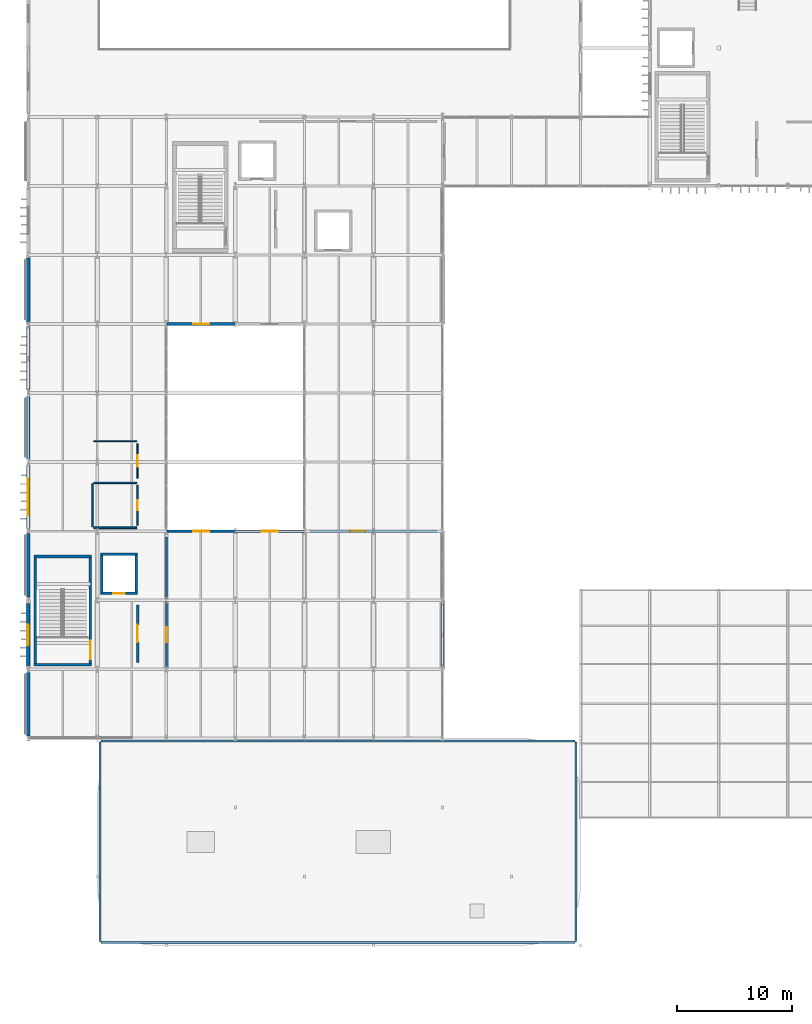
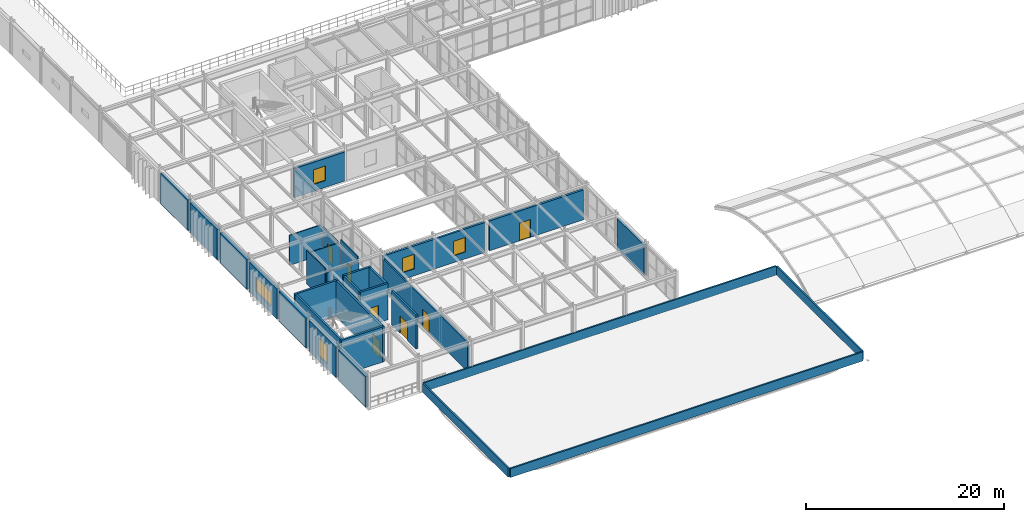
# One storey, part 55 of 84: 32 walls, 7 doors, 5 windows, 12 openings.
"""IFC4 building model written with IfcOpenShell, lengths in metres."""

from ifc_helpers import new_model, si_unit, direction, frame, frame_2d, origin, place, context, subcontext, project, spatial, rectangle, extrude, material, layer, layer_set, type_object, element, fill, save


model = new_model("IFC4")

# Units and contexts
model_context = context("Model", 3, precision=1e-05, world=origin(), true_north=direction((0.0, 1.0)))
body_context = subcontext(model_context, "Body", "Model", "MODEL_VIEW")
ifc_project = project(units=[si_unit("LENGTHUNIT", "METRE"), si_unit("AREAUNIT", "SQUARE_METRE"), si_unit("VOLUMEUNIT", "CUBIC_METRE"), si_unit("PLANEANGLEUNIT", "RADIAN"), si_unit("MASSUNIT", "GRAM", prefix="KILO")], contexts=[model_context])

# Site, building, storey
site_placement = place(None, origin())
site = spatial("IfcSite", under=ifc_project, at=site_placement, CompositionType="ELEMENT")
building_placement = place(site_placement, origin())
building = spatial("IfcBuilding", under=site, at=building_placement, Name="Varnakota Square Police Headquarters", CompositionType="ELEMENT")
storey_placement = place(building_placement, frame((0.0, 0.0, 13.5)))
storey = spatial("IfcBuildingStorey", under=building, at=storey_placement, Name="L03", CompositionType="ELEMENT", Elevation=13.5)

# Wall
ifc_material_1 = material(Name="Concrete M40", Category="concrete")
ifc_layer_1 = layer(ifc_material_1, 0.22998046875, Name="Concrete M40")
ifc_layer_set_1 = layer_set([ifc_layer_1], Name="Concrete M40")
wall_type_1 = type_object("IfcWallType", Name="WL-CORE-230", PredefinedType="SHEAR", material=ifc_layer_set_1)
wall_1_placement = place(storey_placement, frame((6.485107421875, 27.39990234375, 0.0), z_axis=(0.0, 0.0, 1.0), x_axis=(1.0, 0.0, 0.0)))
element("IfcWall", 1, at=wall_1_placement, inside=storey, type_object=wall_type_1, Name="Core C4 shear wall L03 S", PredefinedType="SHEAR", context=body_context, shape_type="SweptSolid", body=[
    extrude(rectangle(XDim=5.02978515625, YDim=0.22998046875, at=frame_2d((2.514892578125, 0.0))), origin(), (0.0, 0.0, 1.0), 4.360107421875),
])

# Wall, opening, door
wall_2_placement = place(storey_placement, frame((11.39990234375, 27.284912109375, 0.0), z_axis=(0.0, 0.0, 1.0), x_axis=(0.0, 1.0, 0.0)))
wall_2 = element("IfcWall", 2, at=wall_2_placement, inside=storey, type_object=wall_type_1, Name="Core C4 shear wall L03 E", PredefinedType="SHEAR", context=body_context, shape_type="SweptSolid", body=[
    extrude(rectangle(XDim=9.630126953125, YDim=0.22998046875, at=frame_2d((4.81494140625, 0.0))), origin(), (0.0, 0.0, 1.0), 4.360107421875),
])
opening_1_placement = place(wall_2_placement, frame((0.594970703125, 0.0, 0.0)))
opening_1 = element("IfcOpeningElement", 3, at=opening_1_placement, cuts=wall_2, Name="Opening SD068", PredefinedType="OPENING", context=body_context, shape_type="SweptSolid", body=[
    extrude(rectangle(XDim=1.60009765625, YDim=2.199951171875, at=frame_2d((0.800048828125, 1.10009765625))), frame((0.0, 0.125, 0.0), z_axis=(0.0, -1.0, 0.0), x_axis=(1.0, 0.0, 0.0)), (0.0, 0.0, 1.0), 0.25),
])
ifc_material_2 = material(Name="Powder-Coated Galvanised Steel", Category="steel")
door_type_1 = type_object("IfcDoorType", Name="DR-ST-160", OperationType="NOTDEFINED", PredefinedType="DOOR", material=ifc_material_2)
door_1_placement = place(opening_1_placement, origin())
door_1 = element("IfcDoor", 4, at=door_1_placement, inside=storey, type_object=door_type_1, Name="Protected stair door SD068", OperationType="DOUBLE_DOOR_SINGLE_SWING", OverallHeight=2.199951171875, OverallWidth=1.60009765625, PredefinedType="DOOR", context=body_context, shape_type="SweptSolid", body=[
    extrude(rectangle(XDim=1.60009765625, YDim=2.199951171875, at=frame_2d((0.800048828125, 1.10009765625))), frame((0.0, 0.02490234375, 0.0), z_axis=(0.0, -1.0, 0.0), x_axis=(1.0, 0.0, 0.0)), (0.0, 0.0, 1.0), 0.050048828125),
])
fill(opening_1, door_1)

# Walls
wall_3_placement = place(storey_placement, frame((11.514892578125, 36.800048828125, 0.0), z_axis=(0.0, 0.0, 1.0), x_axis=(-1.0, 0.0, 0.0)))
element("IfcWall", 5, at=wall_3_placement, inside=storey, type_object=wall_type_1, Name="Core C4 shear wall L03 N", PredefinedType="SHEAR", context=body_context, shape_type="SweptSolid", body=[
    extrude(rectangle(XDim=5.02978515625, YDim=0.22998046875, at=frame_2d((2.514892578125, 0.0))), origin(), (0.0, 0.0, 1.0), 4.360107421875),
])
wall_4_placement = place(storey_placement, frame((6.60009765625, 36.9150390625, 0.0), z_axis=(0.0, 0.0, 1.0), x_axis=(0.0, -1.0, 0.0)))
element("IfcWall", 6, at=wall_4_placement, inside=storey, type_object=wall_type_1, Name="Core C4 shear wall L03 W", PredefinedType="SHEAR", context=body_context, shape_type="SweptSolid", body=[
    extrude(rectangle(XDim=9.630126953125, YDim=0.22998046875, at=frame_2d((4.81494140625, 0.0))), origin(), (0.0, 0.0, 1.0), 4.360107421875),
])

# Wall, opening, door
wall_5_placement = place(storey_placement, frame((12.284912109375, 33.60009765625, 0.0), z_axis=(0.0, 0.0, 1.0), x_axis=(1.0, 0.0, 0.0)))
wall_5 = element("IfcWall", 7, at=wall_5_placement, inside=storey, type_object=wall_type_1, Name="Lift shaft wall LF-P2 L03 S", PredefinedType="SHEAR", context=body_context, shape_type="SweptSolid", body=[
    extrude(rectangle(XDim=3.22998046875, YDim=0.22998046875, at=frame_2d((1.614990234375, 0.0))), origin(), (0.0, 0.0, 1.0), 4.5),
])
opening_2_placement = place(wall_5_placement, frame((1.114990234375, 0.0, 0.0)))
opening_2 = element("IfcOpeningElement", 8, at=opening_2_placement, cuts=wall_5, Name="Opening LD028", PredefinedType="OPENING", context=body_context, shape_type="SweptSolid", body=[
    extrude(rectangle(XDim=1.0, YDim=2.14990234375, at=frame_2d((0.5, 1.074951171875))), frame((0.0, 0.125, 0.0), z_axis=(0.0, -1.0, 0.0), x_axis=(1.0, 0.0, 0.0)), (0.0, 0.0, 1.0), 0.25),
])
ifc_material_3 = material(Name="Brushed Grade 316 Stainless Steel", Category="steel")
door_type_2 = type_object("IfcDoorType", Name="DR-LD-PAX", OperationType="NOTDEFINED", PredefinedType="DOOR", material=ifc_material_3)
door_2_placement = place(opening_2_placement, origin())
door_2 = element("IfcDoor", 9, at=door_2_placement, inside=storey, type_object=door_type_2, Name="Lift sliding landing door LD028", OperationType="SLIDING_TO_LEFT", OverallHeight=2.14990234375, OverallWidth=1.0, PredefinedType="DOOR", context=body_context, shape_type="SweptSolid", body=[
    extrude(rectangle(XDim=1.0, YDim=2.14990234375, at=frame_2d((0.5, 1.074951171875))), frame((0.0, 0.02490234375, 0.0), z_axis=(0.0, -1.0, 0.0), x_axis=(1.0, 0.0, 0.0)), (0.0, 0.0, 1.0), 0.050048828125),
])
fill(opening_2, door_2)

# Walls
wall_6_placement = place(storey_placement, frame((15.39990234375, 33.485107421875, 0.0), z_axis=(0.0, 0.0, 1.0), x_axis=(0.0, 1.0, 0.0)))
element("IfcWall", 10, at=wall_6_placement, inside=storey, type_object=wall_type_1, Name="Lift shaft wall LF-P2 L03 E", PredefinedType="SHEAR", context=body_context, shape_type="SweptSolid", body=[
    extrude(rectangle(XDim=3.6298828125, YDim=0.22998046875, at=frame_2d((1.81494140625, 0.0))), origin(), (0.0, 0.0, 1.0), 4.5),
])
wall_7_placement = place(storey_placement, frame((15.514892578125, 37.0, 0.0), z_axis=(0.0, 0.0, 1.0), x_axis=(-1.0, 0.0, 0.0)))
element("IfcWall", 11, at=wall_7_placement, inside=storey, type_object=wall_type_1, Name="Lift shaft wall LF-P2 L03 N", PredefinedType="SHEAR", context=body_context, shape_type="SweptSolid", body=[
    extrude(rectangle(XDim=3.22998046875, YDim=0.22998046875, at=frame_2d((1.614990234375, 0.0))), origin(), (0.0, 0.0, 1.0), 4.5),
])
wall_8_placement = place(storey_placement, frame((12.39990234375, 37.114990234375, 0.0), z_axis=(0.0, 0.0, 1.0), x_axis=(0.0, -1.0, 0.0)))
element("IfcWall", 12, at=wall_8_placement, inside=storey, type_object=wall_type_1, Name="Lift shaft wall LF-P2 L03 W", PredefinedType="SHEAR", context=body_context, shape_type="SweptSolid", body=[
    extrude(rectangle(XDim=3.6298828125, YDim=0.22998046875, at=frame_2d((1.81494140625, 0.0))), origin(), (0.0, 0.0, 1.0), 4.5),
])

# Wall, opening, window
ifc_layer_2 = layer(ifc_material_1, 0.239990234375, Name="Concrete M40")
ifc_layer_set_2 = layer_set([ifc_layer_2], Name="Concrete M40")
wall_type_2 = type_object("IfcWallType", Name="WL-EXT-240", PredefinedType="SOLIDWALL", material=ifc_layer_set_2)
wall_9_placement = place(storey_placement, frame((18.050048828125, 39.0, 0.0), z_axis=(0.0, 0.0, 1.0), x_axis=(1.0, 0.0, 0.0)))
wall_9 = element("IfcWall", 13, at=wall_9_placement, inside=storey, type_object=wall_type_2, Name="Court exterior wall EW-L03-0436", PredefinedType="SOLIDWALL", context=body_context, shape_type="SweptSolid", body=[
    extrude(rectangle(XDim=5.949951171875, YDim=0.239990234375, at=frame_2d((2.97509765625, 0.0))), origin(), (0.0, 0.0, 1.0), 3.68994140625),
])
opening_3_placement = place(wall_9_placement, frame((2.27490234375, 0.0, 0.85009765625)))
opening_3 = element("IfcOpeningElement", 14, at=opening_3_placement, cuts=wall_9, Name="Opening W16", PredefinedType="OPENING", context=body_context, shape_type="SweptSolid", body=[
    extrude(rectangle(XDim=1.39990234375, YDim=1.800048828125, at=frame_2d((0.699951171875, 0.89990234375))), frame((0.0, 0.1298828125, 0.0), z_axis=(0.0, -1.0, 0.0), x_axis=(1.0, 0.0, 0.0)), (0.0, 0.0, 1.0), 0.260009765625),
])
ifc_material_4 = material(Name="Thermally Broken Aluminium Double-Glazed Window", Category="aluminium")
window_type_1 = type_object("IfcWindowType", Name="WIN-16", PartitioningType="SINGLE_PANEL", PredefinedType="WINDOW", material=ifc_material_4)
window_1_placement = place(opening_3_placement, origin())
window_1 = element("IfcWindow", 15, at=window_1_placement, inside=storey, type_object=window_type_1, Name="Window WN-L03-0092", OverallHeight=1.800048828125, OverallWidth=1.39990234375, PartitioningType="SINGLE_PANEL", PredefinedType="WINDOW", context=body_context, shape_type="SweptSolid", body=[
    extrude(rectangle(XDim=1.39990234375, YDim=1.800048828125, at=frame_2d((0.699951171875, 0.89990234375))), frame((0.0, 0.030029296875, 0.0), z_axis=(0.0, -1.0, 0.0), x_axis=(1.0, 0.0, 0.0)), (0.0, 0.0, 1.0), 0.06005859375),
])
fill(opening_3, window_1)

wall_10_placement = place(storey_placement, frame((18.050048828125, 57.0, 0.0), z_axis=(0.0, 0.0, 1.0), x_axis=(1.0, 0.0, 0.0)))
wall_10 = element("IfcWall", 16, at=wall_10_placement, inside=storey, type_object=wall_type_2, Name="Court exterior wall EW-L03-0437", PredefinedType="SOLIDWALL", context=body_context, shape_type="SweptSolid", body=[
    extrude(rectangle(XDim=5.949951171875, YDim=0.239990234375, at=frame_2d((2.97509765625, 0.0))), origin(), (0.0, 0.0, 1.0), 3.590087890625),
])
opening_4_placement = place(wall_10_placement, frame((2.27490234375, 0.0, 0.85009765625)))
opening_4 = element("IfcOpeningElement", 17, at=opening_4_placement, cuts=wall_10, Name="Opening W16", PredefinedType="OPENING", context=body_context, shape_type="SweptSolid", body=[
    extrude(rectangle(XDim=1.39990234375, YDim=1.800048828125, at=frame_2d((0.699951171875, 0.89990234375))), frame((0.0, 0.1298828125, 0.0), z_axis=(0.0, -1.0, 0.0), x_axis=(1.0, 0.0, 0.0)), (0.0, 0.0, 1.0), 0.260009765625),
])
window_2_placement = place(opening_4_placement, origin())
window_2 = element("IfcWindow", 18, at=window_2_placement, inside=storey, type_object=window_type_1, Name="Window WN-L03-0093", OverallHeight=1.800048828125, OverallWidth=1.39990234375, PartitioningType="SINGLE_PANEL", PredefinedType="WINDOW", context=body_context, shape_type="SweptSolid", body=[
    extrude(rectangle(XDim=1.39990234375, YDim=1.800048828125, at=frame_2d((0.699951171875, 0.89990234375))), frame((0.0, 0.030029296875, 0.0), z_axis=(0.0, -1.0, 0.0), x_axis=(1.0, 0.0, 0.0)), (0.0, 0.0, 1.0), 0.06005859375),
])
fill(opening_4, window_2)

wall_11_placement = place(storey_placement, frame((24.0, 39.0, 0.0), z_axis=(0.0, 0.0, 1.0), x_axis=(1.0, 0.0, 0.0)))
wall_11 = element("IfcWall", 19, at=wall_11_placement, inside=storey, type_object=wall_type_2, Name="Court exterior wall EW-L03-0438", PredefinedType="SOLIDWALL", context=body_context, shape_type="SweptSolid", body=[
    extrude(rectangle(XDim=5.949951171875, YDim=0.239990234375, at=frame_2d((2.97509765625, 0.0))), origin(), (0.0, 0.0, 1.0), 3.68994140625),
])
opening_5_placement = place(wall_11_placement, frame((2.27490234375, 0.0, 0.85009765625)))
opening_5 = element("IfcOpeningElement", 20, at=opening_5_placement, cuts=wall_11, Name="Opening W16", PredefinedType="OPENING", context=body_context, shape_type="SweptSolid", body=[
    extrude(rectangle(XDim=1.39990234375, YDim=1.800048828125, at=frame_2d((0.699951171875, 0.89990234375))), frame((0.0, 0.1298828125, 0.0), z_axis=(0.0, -1.0, 0.0), x_axis=(1.0, 0.0, 0.0)), (0.0, 0.0, 1.0), 0.260009765625),
])
window_3_placement = place(opening_5_placement, origin())
window_3 = element("IfcWindow", 21, at=window_3_placement, inside=storey, type_object=window_type_1, Name="Window WN-L03-0094", OverallHeight=1.800048828125, OverallWidth=1.39990234375, PartitioningType="SINGLE_PANEL", PredefinedType="WINDOW", context=body_context, shape_type="SweptSolid", body=[
    extrude(rectangle(XDim=1.39990234375, YDim=1.800048828125, at=frame_2d((0.699951171875, 0.89990234375))), frame((0.0, 0.030029296875, 0.0), z_axis=(0.0, -1.0, 0.0), x_axis=(1.0, 0.0, 0.0)), (0.0, 0.0, 1.0), 0.06005859375),
])
fill(opening_5, window_3)

# Walls
ifc_layer_3 = layer(ifc_material_1, 0.280029296875, Name="Concrete M40")
ifc_layer_set_3 = layer_set([ifc_layer_3], Name="Concrete M40")
wall_type_3 = type_object("IfcWallType", Name="WL-EXT-280", PredefinedType="SOLIDWALL", material=ifc_layer_set_3)
wall_12_placement = place(storey_placement, frame((42.0, 27.25390625, 0.0), z_axis=(0.0, 0.0, 1.0), x_axis=(0.0, 1.0, 0.0)))
element("IfcWall", 22, at=wall_12_placement, inside=storey, type_object=wall_type_3, Name="Exterior wall EW-L03-0428", PredefinedType="SOLIDWALL", context=body_context, shape_type="SweptSolid", body=[
    extrude(rectangle(XDim=5.467041015625, YDim=0.280029296875, at=frame_2d((2.7333984375, 0.0))), origin(), (0.0, 0.0, 1.0), 3.739990234375),
])
ifc_layer_4 = layer(ifc_material_1, 0.340087890625, Name="Concrete M40")
ifc_layer_set_4 = layer_set([ifc_layer_4], Name="Concrete M40")
wall_type_4 = type_object("IfcWallType", Name="WL-EXT-340", PredefinedType="SOLIDWALL", material=ifc_layer_set_4)
wall_13_placement = place(storey_placement, frame((6.0, 21.2041015625, 0.0), z_axis=(0.0, 0.0, 1.0), x_axis=(0.0, 1.0, 0.0)))
element("IfcWall", 23, at=wall_13_placement, inside=storey, type_object=wall_type_4, Name="Exterior wall EW-L03-0426", PredefinedType="SOLIDWALL", context=body_context, shape_type="SweptSolid", body=[
    extrude(rectangle(XDim=5.5419921875, YDim=0.340087890625, at=frame_2d((2.77099609375, 0.0))), origin(), (0.0, 0.0, 1.0), 3.78369140625),
])

# Wall, opening, window
wall_14_placement = place(storey_placement, frame((6.0, 27.25390625, 0.0), z_axis=(0.0, 0.0, 1.0), x_axis=(0.0, 1.0, 0.0)))
wall_14 = element("IfcWall", 24, at=wall_14_placement, inside=storey, type_object=wall_type_4, Name="Exterior wall EW-L03-0427", PredefinedType="SOLIDWALL", context=body_context, shape_type="SweptSolid", body=[
    extrude(rectangle(XDim=5.467041015625, YDim=0.340087890625, at=frame_2d((2.7333984375, 0.0))), origin(), (0.0, 0.0, 1.0), 3.78369140625),
])
opening_6_placement = place(wall_14_placement, frame((1.83349609375, 0.0, 0.60009765625)))
opening_6 = element("IfcOpeningElement", 25, at=opening_6_placement, cuts=wall_14, Name="Opening W11", PredefinedType="OPENING", context=body_context, shape_type="SweptSolid", body=[
    extrude(rectangle(XDim=1.800048828125, YDim=2.199951171875, at=frame_2d((0.89990234375, 1.10009765625))), frame((0.0, 0.179931640625, 0.0), z_axis=(0.0, -1.0, 0.0), x_axis=(1.0, 0.0, 0.0)), (0.0, 0.0, 1.0), 0.360107421875),
])
window_type_2 = type_object("IfcWindowType", Name="WIN-11", PartitioningType="SINGLE_PANEL", PredefinedType="WINDOW", material=ifc_material_4)
window_4_placement = place(opening_6_placement, origin())
window_4 = element("IfcWindow", 26, at=window_4_placement, inside=storey, type_object=window_type_2, Name="Window WN-L03-0089", OverallHeight=2.199951171875, OverallWidth=1.800048828125, PartitioningType="SINGLE_PANEL", PredefinedType="WINDOW", context=body_context, shape_type="SweptSolid", body=[
    extrude(rectangle(XDim=1.800048828125, YDim=2.199951171875, at=frame_2d((0.89990234375, 1.10009765625))), frame((0.0, 0.030029296875, 0.0), z_axis=(0.0, -1.0, 0.0), x_axis=(1.0, 0.0, 0.0)), (0.0, 0.0, 1.0), 0.06005859375),
])
fill(opening_6, window_4)

# Wall
wall_15_placement = place(storey_placement, frame((6.0, 33.279052734375, 0.0), z_axis=(0.0, 0.0, 1.0), x_axis=(0.0, 1.0, 0.0)))
element("IfcWall", 27, at=wall_15_placement, inside=storey, type_object=wall_type_4, Name="Exterior wall EW-L03-0429", PredefinedType="SOLIDWALL", context=body_context, shape_type="SweptSolid", body=[
    extrude(rectangle(XDim=5.516845703125, YDim=0.340087890625, at=frame_2d((2.75830078125, 0.0))), origin(), (0.0, 0.0, 1.0), 3.68994140625),
])

# Wall, opening, window
wall_16_placement = place(storey_placement, frame((6.0, 39.2041015625, 0.0), z_axis=(0.0, 0.0, 1.0), x_axis=(0.0, 1.0, 0.0)))
wall_16 = element("IfcWall", 28, at=wall_16_placement, inside=storey, type_object=wall_type_4, Name="Exterior wall EW-L03-0430", PredefinedType="SOLIDWALL", context=body_context, shape_type="SweptSolid", body=[
    extrude(rectangle(XDim=5.5419921875, YDim=0.340087890625, at=frame_2d((2.77099609375, 0.0))), origin(), (0.0, 0.0, 1.0), 3.68994140625),
])
opening_7_placement = place(wall_16_placement, frame((1.1708984375, 0.0, 0.800048828125)))
opening_7 = element("IfcOpeningElement", 29, at=opening_7_placement, cuts=wall_16, Name="Opening W15", PredefinedType="OPENING", context=body_context, shape_type="SweptSolid", body=[
    extrude(rectangle(XDim=3.199951171875, YDim=1.800048828125, at=frame_2d((1.60009765625, 0.89990234375))), frame((0.0, 0.179931640625, 0.0), z_axis=(0.0, -1.0, 0.0), x_axis=(1.0, 0.0, 0.0)), (0.0, 0.0, 1.0), 0.360107421875),
])
window_type_3 = type_object("IfcWindowType", Name="WIN-15", PartitioningType="SINGLE_PANEL", PredefinedType="WINDOW", material=ifc_material_4)
window_5_placement = place(opening_7_placement, origin())
window_5 = element("IfcWindow", 30, at=window_5_placement, inside=storey, type_object=window_type_3, Name="Window WN-L03-0090", OverallHeight=1.800048828125, OverallWidth=3.199951171875, PartitioningType="SINGLE_PANEL", PredefinedType="WINDOW", context=body_context, shape_type="SweptSolid", body=[
    extrude(rectangle(XDim=3.199951171875, YDim=1.800048828125, at=frame_2d((1.60009765625, 0.89990234375))), frame((0.0, 0.030029296875, 0.0), z_axis=(0.0, -1.0, 0.0), x_axis=(1.0, 0.0, 0.0)), (0.0, 0.0, 1.0), 0.06005859375),
])
fill(opening_7, window_5)

# Walls
wall_17_placement = place(storey_placement, frame((6.0, 45.25390625, 0.0), z_axis=(0.0, 0.0, 1.0), x_axis=(0.0, 1.0, 0.0)))
element("IfcWall", 31, at=wall_17_placement, inside=storey, type_object=wall_type_4, Name="Exterior wall EW-L03-0431", PredefinedType="SOLIDWALL", context=body_context, shape_type="SweptSolid", body=[
    extrude(rectangle(XDim=5.467041015625, YDim=0.340087890625, at=frame_2d((2.7333984375, 0.0))), origin(), (0.0, 0.0, 1.0), 3.68994140625),
])
wall_18_placement = place(storey_placement, frame((6.0, 51.279052734375, 0.0), z_axis=(0.0, 0.0, 1.0), x_axis=(0.0, 1.0, 0.0)))
element("IfcWall", 32, at=wall_18_placement, inside=storey, type_object=wall_type_4, Name="Exterior wall EW-L03-0432", PredefinedType="SOLIDWALL", context=body_context, shape_type="SweptSolid", body=[
    extrude(rectangle(XDim=5.516845703125, YDim=0.340087890625, at=frame_2d((2.75830078125, 0.0))), origin(), (0.0, 0.0, 1.0), 3.739990234375),
])
wall_19_placement = place(storey_placement, frame((6.0, 57.2041015625, 0.0), z_axis=(0.0, 0.0, 1.0), x_axis=(0.0, 1.0, 0.0)))
element("IfcWall", 33, at=wall_19_placement, inside=storey, type_object=wall_type_4, Name="Exterior wall EW-L03-0433", PredefinedType="SOLIDWALL", context=body_context, shape_type="SweptSolid", body=[
    extrude(rectangle(XDim=5.5419921875, YDim=0.340087890625, at=frame_2d((2.77099609375, 0.0))), origin(), (0.0, 0.0, 1.0), 3.78369140625),
])
ifc_material_5 = material(Name="Precast concrete M40", Category="concrete")
ifc_layer_5 = layer(ifc_material_5, 0.179931640625, Name="Precast concrete M40")
ifc_layer_set_5 = layer_set([ifc_layer_5], Name="Precast concrete M40")
wall_type_5 = type_object("IfcWallType", Name="WL-PAR-180", PredefinedType="PARAPET", material=ifc_layer_set_5)
wall_20_placement = place(storey_placement, frame((12.340087890625, 3.25, 0.0), z_axis=(0.0, 0.0, 1.0), x_axis=(1.0, 0.0, 0.0)))
element("IfcWall", 34, at=wall_20_placement, inside=storey, type_object=wall_type_5, Name="Roof parapet wall PAR-L03-008", PredefinedType="PARAPET", context=body_context, shape_type="SweptSolid", body=[
    extrude(rectangle(XDim=41.169921875, YDim=0.179931640625, at=frame_2d((20.5849609375, 0.0))), origin(), (0.0, 0.0, 1.0), 1.10009765625),
])
wall_21_placement = place(storey_placement, frame((53.60009765625, 3.340087890625, 0.0), z_axis=(0.0, 0.0, 1.0), x_axis=(0.0, 1.0, 0.0)))
element("IfcWall", 35, at=wall_21_placement, inside=storey, type_object=wall_type_5, Name="Roof parapet wall PAR-L03-009", PredefinedType="PARAPET", context=body_context, shape_type="SweptSolid", body=[
    extrude(rectangle(XDim=17.31982421875, YDim=0.179931640625, at=frame_2d((8.659912109375, 0.0))), origin(), (0.0, 0.0, 1.0), 1.10009765625),
])
wall_22_placement = place(storey_placement, frame((53.510009765625, 20.75, 0.0), z_axis=(0.0, 0.0, 1.0), x_axis=(-1.0, 0.0, 0.0)))
element("IfcWall", 36, at=wall_22_placement, inside=storey, type_object=wall_type_5, Name="Roof parapet wall PAR-L03-010", PredefinedType="PARAPET", context=body_context, shape_type="SweptSolid", body=[
    extrude(rectangle(XDim=41.169921875, YDim=0.179931640625, at=frame_2d((20.5849609375, 0.0))), origin(), (0.0, 0.0, 1.0), 1.10009765625),
])
wall_23_placement = place(storey_placement, frame((12.25, 20.659912109375, 0.0), z_axis=(0.0, 0.0, 1.0), x_axis=(0.0, -1.0, 0.0)))
element("IfcWall", 37, at=wall_23_placement, inside=storey, type_object=wall_type_5, Name="Roof parapet wall PAR-L03-011", PredefinedType="PARAPET", context=body_context, shape_type="SweptSolid", body=[
    extrude(rectangle(XDim=17.31982421875, YDim=0.179931640625, at=frame_2d((8.659912109375, 0.0))), origin(), (0.0, 0.0, 1.0), 1.10009765625),
])
ifc_material_6 = material(Name="Lightweight Demountable Office Partition", Category="gypsum")
ifc_layer_6 = layer(ifc_material_6, 0.094970703125, Name="Lightweight Demountable Office Partition")
ifc_layer_set_6 = layer_set([ifc_layer_6], Name="Lightweight Demountable Office Partition")
wall_type_6 = type_object("IfcWallType", Name="WL-PRT-095", PredefinedType="PARTITIONING", material=ifc_layer_set_6)
wall_24_placement = place(storey_placement, frame((11.679931640625, 46.800048828125, 0.0), z_axis=(0.0, 0.0, 1.0), x_axis=(1.0, 0.0, 0.0)))
element("IfcWall", 38, at=wall_24_placement, inside=storey, type_object=wall_type_6, Name="Interior dividing partition PW-L03-0194 (L03 Accessible WC West)", PredefinedType="PARTITIONING", context=body_context, shape_type="SweptSolid", body=[
    extrude(rectangle(XDim=3.739990234375, YDim=0.094970703125, at=frame_2d((1.8701171875, 0.0))), origin(), (0.0, 0.0, 1.0), 3.739990234375),
])

# Wall, opening, door
ifc_material_7 = material(Name="Glazed Clean-Lab Modular Partition", Category="gypsum")
ifc_layer_7 = layer(ifc_material_7, 0.10498046875, Name="Glazed Clean-Lab Modular Partition")
ifc_layer_set_7 = layer_set([ifc_layer_7], Name="Glazed Clean-Lab Modular Partition")
wall_type_7 = type_object("IfcWallType", Name="WL-PRT-105", PredefinedType="PARTITIONING", material=ifc_layer_set_7)
wall_25_placement = place(storey_placement, frame((15.5, 46.60009765625, 0.0), z_axis=(0.0, 0.0, 1.0), x_axis=(0.0, -1.0, 0.0)))
wall_25 = element("IfcWall", 39, at=wall_25_placement, inside=storey, type_object=wall_type_7, Name="Interior partition PW-L03-0168 (L03 Accessible WC West)", PredefinedType="PARTITIONING", context=body_context, shape_type="SweptSolid", body=[
    extrude(rectangle(XDim=3.0, YDim=0.10498046875, at=frame_2d((1.5, 0.0))), origin(), (0.0, 0.0, 1.0), 3.590087890625),
])
opening_8_placement = place(wall_25_placement, frame((1.0, 0.0, 0.0)))
opening_8 = element("IfcOpeningElement", 40, at=opening_8_placement, cuts=wall_25, Name="Opening D244", PredefinedType="OPENING", context=body_context, shape_type="SweptSolid", body=[
    extrude(rectangle(XDim=1.0, YDim=2.10009765625, at=frame_2d((0.5, 1.050048828125))), frame((0.0, 0.0625, 0.0), z_axis=(0.0, -1.0, 0.0), x_axis=(1.0, 0.0, 0.0)), (0.0, 0.0, 1.0), 0.125),
])
ifc_material_8 = material(Name="Antimicrobial High-Pressure Compact Laminate")
door_type_3 = type_object("IfcDoorType", Name="DR-WCA-100", OperationType="NOTDEFINED", PredefinedType="DOOR", material=ifc_material_8)
door_3_placement = place(opening_8_placement, origin())
door_3 = element("IfcDoor", 41, at=door_3_placement, inside=storey, type_object=door_type_3, Name="Room door D244 (L03 Accessible WC West)", OperationType="SINGLE_SWING_RIGHT", OverallHeight=2.10009765625, OverallWidth=1.0, PredefinedType="DOOR", context=body_context, shape_type="SweptSolid", body=[
    extrude(rectangle(XDim=1.0, YDim=2.10009765625, at=frame_2d((0.5, 1.050048828125))), frame((0.0, 0.02490234375, 0.0), z_axis=(0.0, -1.0, 0.0), x_axis=(1.0, 0.0, 0.0)), (0.0, 0.0, 1.0), 0.050048828125),
])
fill(opening_8, door_3)

# Wall
ifc_material_9 = material(Name="Moisture-Resistant Tile-Backed Partition", Category="gypsum")
ifc_layer_8 = layer(ifc_material_9, 0.114990234375, Name="Moisture-Resistant Tile-Backed Partition")
ifc_layer_set_8 = layer_set([ifc_layer_8], Name="Moisture-Resistant Tile-Backed Partition")
wall_type_8 = type_object("IfcWallType", Name="WL-PRT-115", PredefinedType="PARTITIONING", material=ifc_layer_set_8)
wall_26_placement = place(storey_placement, frame((11.679931640625, 43.199951171875, 0.0), z_axis=(0.0, 0.0, 1.0), x_axis=(1.0, 0.0, 0.0)))
element("IfcWall", 42, at=wall_26_placement, inside=storey, type_object=wall_type_8, Name="Interior dividing partition PW-L03-0193 (L03 Forensic Staff Washroom WC)", PredefinedType="PARTITIONING", context=body_context, shape_type="SweptSolid", body=[
    extrude(rectangle(XDim=3.739990234375, YDim=0.114990234375, at=frame_2d((1.8701171875, 0.0))), origin(), (0.0, 0.0, 1.0), 3.68994140625),
])

# Wall, opening, door
ifc_material_10 = material(Name="Acoustic Insulated Metal-Stud Partition", Category="gypsum")
ifc_layer_9 = layer(ifc_material_10, 0.125, Name="Acoustic Insulated Metal-Stud Partition")
ifc_layer_set_9 = layer_set([ifc_layer_9], Name="Acoustic Insulated Metal-Stud Partition")
wall_type_9 = type_object("IfcWallType", Name="WL-PRT-125", PredefinedType="PARTITIONING", material=ifc_layer_set_9)
wall_27_placement = place(storey_placement, frame((15.5, 43.0, 0.0), z_axis=(0.0, 0.0, 1.0), x_axis=(0.0, -1.0, 0.0)))
wall_27 = element("IfcWall", 43, at=wall_27_placement, inside=storey, type_object=wall_type_9, Name="Interior partition PW-L03-0167 (L03 Forensic Staff Washroom WC)", PredefinedType="PARTITIONING", context=body_context, shape_type="SweptSolid", body=[
    extrude(rectangle(XDim=3.5, YDim=0.125, at=frame_2d((1.75, 0.0))), origin(), (0.0, 0.0, 1.0), 4.18994140625),
])
opening_9_placement = place(wall_27_placement, frame((1.300048828125, 0.0, 0.0)))
opening_9 = element("IfcOpeningElement", 44, at=opening_9_placement, cuts=wall_27, Name="Opening D243", PredefinedType="OPENING", context=body_context, shape_type="SweptSolid", body=[
    extrude(rectangle(XDim=0.89990234375, YDim=2.10009765625, at=frame_2d((0.449951171875, 1.050048828125))), frame((0.0, 0.072509765625, 0.0), z_axis=(0.0, -1.0, 0.0), x_axis=(1.0, 0.0, 0.0)), (0.0, 0.0, 1.0), 0.14501953125),
])
ifc_material_11 = material(Name="High-Pressure Moisture-Resistant Compact Laminate")
door_type_4 = type_object("IfcDoorType", Name="DR-WC-090", OperationType="NOTDEFINED", PredefinedType="DOOR", material=ifc_material_11)
door_4_placement = place(opening_9_placement, origin())
door_4 = element("IfcDoor", 45, at=door_4_placement, inside=storey, type_object=door_type_4, Name="Room door D243 (L03 Forensic Staff Washroom WC)", OperationType="SINGLE_SWING_LEFT", OverallHeight=2.10009765625, OverallWidth=0.89990234375, PredefinedType="DOOR", context=body_context, shape_type="SweptSolid", body=[
    extrude(rectangle(XDim=0.89990234375, YDim=2.10009765625, at=frame_2d((0.449951171875, 1.050048828125))), frame((0.0, 0.02490234375, 0.0), z_axis=(0.0, -1.0, 0.0), x_axis=(1.0, 0.0, 0.0)), (0.0, 0.0, 1.0), 0.050048828125),
])
fill(opening_9, door_4)

# Walls
wall_28_placement = place(storey_placement, frame((11.60009765625, 39.3798828125, 0.0), z_axis=(0.0, 0.0, 1.0), x_axis=(0.0, 1.0, 0.0)))
element("IfcWall", 46, at=wall_28_placement, inside=storey, type_object=wall_type_9, Name="Interior dividing partition PW-L03-0192 (L03 Forensic Staff Washroom WC)", PredefinedType="PARTITIONING", context=body_context, shape_type="SweptSolid", body=[
    extrude(rectangle(XDim=3.740234375, YDim=0.125, at=frame_2d((1.8701171875, 0.0))), origin(), (0.0, 0.0, 1.0), 4.18994140625),
])
ifc_layer_10 = layer(ifc_material_10, 0.139892578125, Name="Acoustic Insulated Metal-Stud Partition")
ifc_layer_set_10 = layer_set([ifc_layer_10], Name="Acoustic Insulated Metal-Stud Partition")
wall_type_10 = type_object("IfcWallType", Name="WL-PRT-140", PredefinedType="PARTITIONING", material=ifc_layer_set_10)
wall_29_placement = place(storey_placement, frame((15.419921875, 39.300048828125, 0.0), z_axis=(0.0, 0.0, 1.0), x_axis=(-1.0, 0.0, 0.0)))
element("IfcWall", 47, at=wall_29_placement, inside=storey, type_object=wall_type_10, Name="Interior dividing partition PW-L03-0191 (L03 Forensic Staff Washroom WC)", PredefinedType="PARTITIONING", context=body_context, shape_type="SweptSolid", body=[
    extrude(rectangle(XDim=3.739990234375, YDim=0.139892578125, at=frame_2d((1.8701171875, 0.0))), origin(), (0.0, 0.0, 1.0), 3.68994140625),
])

# Wall, opening, door
ifc_material_12 = material(Name="Autoclaved Aerated Concrete Blockwork", Category="masonry")
ifc_layer_11 = layer(ifc_material_12, 0.175048828125, Name="Autoclaved Aerated Concrete Blockwork")
ifc_layer_set_11 = layer_set([ifc_layer_11], Name="Autoclaved Aerated Concrete Blockwork")
wall_type_11 = type_object("IfcWallType", Name="WL-PRT-175F", PredefinedType="PARTITIONING", material=ifc_layer_set_11)
wall_30_placement = place(storey_placement, frame((18.0, 21.5, 0.0), z_axis=(0.0, 0.0, 1.0), x_axis=(0.0, 1.0, 0.0)))
wall_30 = element("IfcWall", 48, at=wall_30_placement, inside=storey, type_object=wall_type_11, Name="Interior partition PW-L03-0172 (Digital Forensics Laboratory)", PredefinedType="PARTITIONING", context=body_context, shape_type="SweptSolid", body=[
    extrude(rectangle(XDim=17.0, YDim=0.175048828125, at=frame_2d((8.5, 0.0))), origin(), (0.0, 0.0, 1.0), 3.590087890625),
])
opening_10_placement = place(wall_30_placement, frame((7.85009765625, 0.0, 0.0)))
opening_10 = element("IfcOpeningElement", 49, at=opening_10_placement, cuts=wall_30, Name="Opening D248", PredefinedType="OPENING", context=body_context, shape_type="SweptSolid", body=[
    extrude(rectangle(XDim=1.300048828125, YDim=2.199951171875, at=frame_2d((0.64990234375, 1.10009765625))), frame((0.0, 0.097412109375, 0.0), z_axis=(0.0, -1.0, 0.0), x_axis=(1.0, 0.0, 0.0)), (0.0, 0.0, 1.0), 0.195068359375),
])
ifc_material_13 = material(Name="Epoxy-Coated Hermetic Galvanised Steel", Category="steel")
door_type_5 = type_object("IfcDoorType", Name="DR-LAB-130", OperationType="NOTDEFINED", PredefinedType="DOOR", material=ifc_material_13)
door_5_placement = place(opening_10_placement, origin())
door_5 = element("IfcDoor", 50, at=door_5_placement, inside=storey, type_object=door_type_5, Name="Room door D248 (Digital Forensics Laboratory)", OperationType="SINGLE_SWING_RIGHT", OverallHeight=2.199951171875, OverallWidth=1.300048828125, PredefinedType="DOOR", context=body_context, shape_type="SweptSolid", body=[
    extrude(rectangle(XDim=1.300048828125, YDim=2.199951171875, at=frame_2d((0.64990234375, 1.10009765625))), frame((0.0, 0.02490234375, 0.0), z_axis=(0.0, -1.0, 0.0), x_axis=(1.0, 0.0, 0.0)), (0.0, 0.0, 1.0), 0.050048828125),
])
fill(opening_10, door_5)

ifc_layer_12 = layer(ifc_material_1, 0.215087890625, Name="Concrete M40")
ifc_layer_set_12 = layer_set([ifc_layer_12], Name="Concrete M40")
wall_type_12 = type_object("IfcWallType", Name="WL-PRT-215F", PredefinedType="PARTITIONING", material=ifc_layer_set_12)
wall_31_placement = place(storey_placement, frame((15.5, 27.60009765625, 0.0), z_axis=(0.0, 0.0, 1.0), x_axis=(0.0, 1.0, 0.0)))
wall_31 = element("IfcWall", 51, at=wall_31_placement, inside=storey, type_object=wall_type_12, Name="Core C4 lobby fire partition L03", PredefinedType="PARTITIONING", context=body_context, shape_type="SweptSolid", body=[
    extrude(rectangle(XDim=5.0, YDim=0.215087890625, at=frame_2d((2.5, 0.0))), origin(), (0.0, 0.0, 1.0), 4.18994140625),
])
opening_11_placement = place(wall_31_placement, frame((1.75, 0.0, 0.0)))
opening_11 = element("IfcOpeningElement", 52, at=opening_11_placement, cuts=wall_31, Name="Opening FD074", PredefinedType="OPENING", context=body_context, shape_type="SweptSolid", body=[
    extrude(rectangle(XDim=1.5, YDim=2.14990234375, at=frame_2d((0.75, 1.074951171875))), frame((0.0, 0.117431640625, 0.0), z_axis=(0.0, -1.0, 0.0), x_axis=(1.0, 0.0, 0.0)), (0.0, 0.0, 1.0), 0.235107421875),
])
ifc_material_14 = material(Name="Smoke-Sealed Galvanised Acoustic Steel", Category="steel")
door_type_6 = type_object("IfcDoorType", Name="DR-FFL-150", OperationType="NOTDEFINED", PredefinedType="DOOR", material=ifc_material_14)
door_6_placement = place(opening_11_placement, origin())
door_6 = element("IfcDoor", 53, at=door_6_placement, inside=storey, type_object=door_type_6, Name="Core lobby smoke door FD074", OperationType="DOUBLE_DOOR_SINGLE_SWING", OverallHeight=2.14990234375, OverallWidth=1.5, PredefinedType="DOOR", context=body_context, shape_type="SweptSolid", body=[
    extrude(rectangle(XDim=1.5, YDim=2.14990234375, at=frame_2d((0.75, 1.074951171875))), frame((0.0, 0.02490234375, 0.0), z_axis=(0.0, -1.0, 0.0), x_axis=(1.0, 0.0, 0.0)), (0.0, 0.0, 1.0), 0.050048828125),
])
fill(opening_11, door_6)

ifc_layer_13 = layer(ifc_material_1, 0.25, Name="Concrete M40")
ifc_layer_set_13 = layer_set([ifc_layer_13], Name="Concrete M40")
wall_type_13 = type_object("IfcWallType", Name="WL-PRT-250F", PredefinedType="PARTITIONING", material=ifc_layer_set_13)
wall_32_placement = place(storey_placement, frame((41.5, 39.0, 0.0), z_axis=(0.0, 0.0, 1.0), x_axis=(-1.0, 0.0, 0.0)))
wall_32 = element("IfcWall", 54, at=wall_32_placement, inside=storey, type_object=wall_type_13, Name="Interior partition PW-L03-0174 (Questioned Documents Forensic Laboratory)", PredefinedType="PARTITIONING", context=body_context, shape_type="SweptSolid", body=[
    extrude(rectangle(XDim=11.0, YDim=0.25, at=frame_2d((5.5, 0.0))), origin(), (0.0, 0.0, 1.0), 3.68994140625),
])
opening_12_placement = place(wall_32_placement, frame((6.199951171875, 0.0, 0.0)))
opening_12 = element("IfcOpeningElement", 55, at=opening_12_placement, cuts=wall_32, Name="Opening D250", PredefinedType="OPENING", context=body_context, shape_type="SweptSolid", body=[
    extrude(rectangle(XDim=1.300048828125, YDim=2.199951171875, at=frame_2d((0.64990234375, 1.10009765625))), frame((0.0, 0.135009765625, 0.0), z_axis=(0.0, -1.0, 0.0), x_axis=(1.0, 0.0, 0.0)), (0.0, 0.0, 1.0), 0.27001953125),
])
door_7_placement = place(opening_12_placement, origin())
door_7 = element("IfcDoor", 56, at=door_7_placement, inside=storey, type_object=door_type_5, Name="Room door D250 (Questioned Documents Forensic Laboratory)", OperationType="SINGLE_SWING_RIGHT", OverallHeight=2.199951171875, OverallWidth=1.300048828125, PredefinedType="DOOR", context=body_context, shape_type="SweptSolid", body=[
    extrude(rectangle(XDim=1.300048828125, YDim=2.199951171875, at=frame_2d((0.64990234375, 1.10009765625))), frame((0.0, 0.02490234375, 0.0), z_axis=(0.0, -1.0, 0.0), x_axis=(1.0, 0.0, 0.0)), (0.0, 0.0, 1.0), 0.050048828125),
])
fill(opening_12, door_7)

save(model, "model.ifc")
